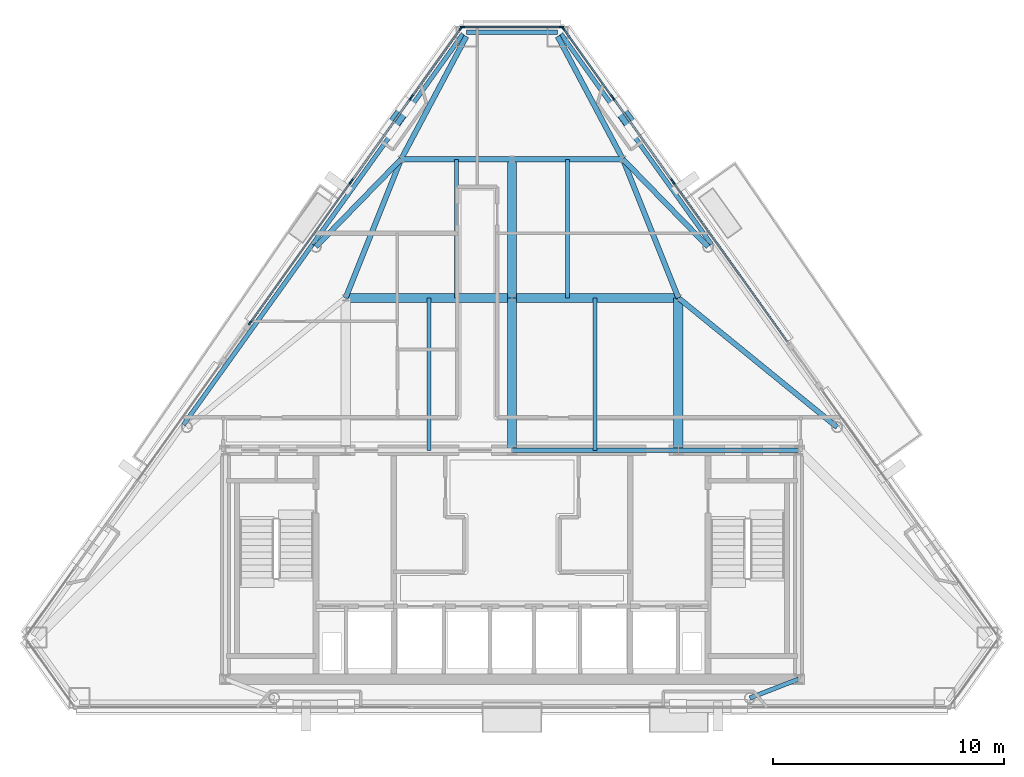
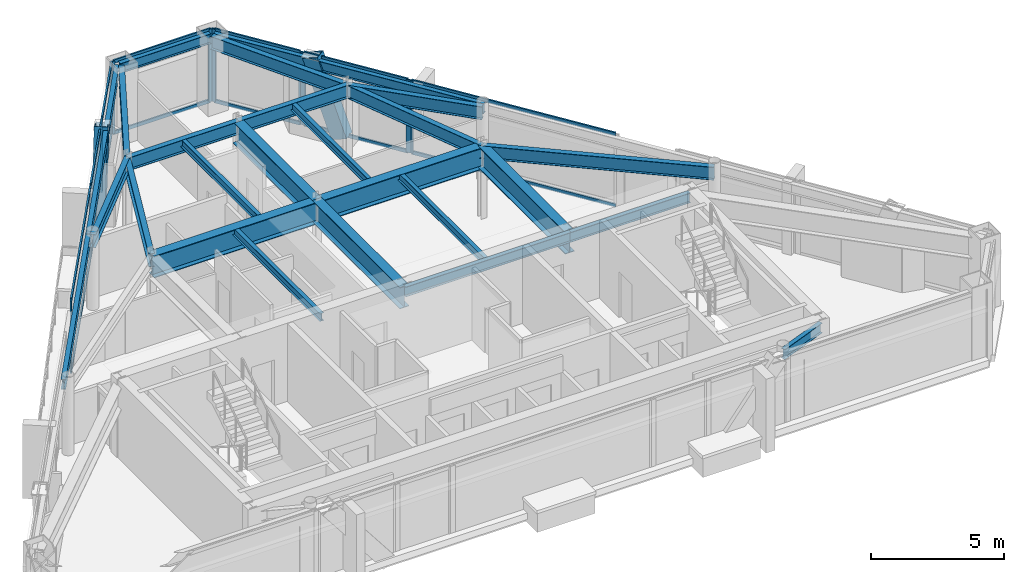
# One storey, part 5 of 12: 29 members, 25 beams, 7 elements without a shape of their own.
"""IFC4 building model written with IfcOpenShell, lengths in metres."""

from ifc_helpers import new_model, si_unit, direction, frame, origin, origin_2d, place, context, subcontext, project, spatial, rectangle, hollow_rectangle, i_section, extrude, material, layer, layer_set, material_profile, profile_set, type_object, element, aggregate, save


model = new_model("IFC4")

# Units and contexts
model_context = context("Model", 3, precision=1e-05, world=origin(), true_north=direction((0.0, 1.0)))
body_context = subcontext(model_context, "Body", "Model", "MODEL_VIEW")
ifc_project = project(units=[si_unit("LENGTHUNIT", "METRE"), si_unit("AREAUNIT", "SQUARE_METRE"), si_unit("VOLUMEUNIT", "CUBIC_METRE"), si_unit("PLANEANGLEUNIT", "RADIAN"), si_unit("MASSUNIT", "GRAM", prefix="KILO")], contexts=[model_context])

# Site, building, storey
site_placement = place(None, origin())
site = spatial("IfcSite", under=ifc_project, at=site_placement, CompositionType="ELEMENT")
building_placement = place(site_placement, origin())
building = spatial("IfcBuilding", under=site, at=building_placement, Name="Talgorran Terracotta Tower", CompositionType="ELEMENT")
storey_placement = place(building_placement, frame((0.0, 0.0, 270.60009765625)))
storey = spatial("IfcBuildingStorey", under=building, at=storey_placement, Name="L71", CompositionType="ELEMENT", Elevation=270.60009765625)

# Beams
ifc_material_1 = material(Name="Steel Grade 350 (350L0)", Category="steel")
ifc_material_profile_1 = material_profile(ifc_material_1, i_section(OverallWidth=0.39990234375, OverallDepth=1.0, WebThickness=0.01611328125, FlangeThickness=0.031005859375, at=origin_2d()), Name="1000WB296")
ifc_profile_set_1 = profile_set([ifc_material_profile_1], Name="Steel Grade 350 (350L0)")
beam_type_1 = type_object("IfcBeamType", Name="BM_1000WB296", PredefinedType="BEAM", material=ifc_profile_set_1)
for number, where, z_axis, x_axis, name in (
    (1, (0.0, -4.199951171875, 2.844970703125), (0.0, 1.0, 0.0), (-1.0, 0.0, 0.0), "L71 Floor Girder G02"),
    (2, (7.199951171875, -4.199951171875, 2.844970703125), (0.0, 1.0, 0.0), (-1.0, 0.0, 0.0), "L71 Floor Girder G03"),
):
    element("IfcBeam", number, at=place(storey_placement, frame(where, z_axis=z_axis, x_axis=x_axis)), inside=storey, type_object=beam_type_1, Name=name, PredefinedType="BEAM", context=body_context, shape_type="SweptSolid", body=[
        extrude(i_section(OverallWidth=0.39990234375, OverallDepth=1.0, WebThickness=0.01611328125, FlangeThickness=0.031005859375, at=origin_2d()), origin(), (0.0, 0.0, 1.0), 6.599853515625),
    ])
for number, where, z_axis, x_axis, name in (
    (3, (-7.199951171875, 2.39990234375, 2.844970703125), (1.0, 0.0, 0.0), (0.0, 1.0, 0.0), "L71 Floor Girder G04"),
    (4, (0.0, 2.39990234375, 2.844970703125), (1.0, 0.0, 0.0), (0.0, 1.0, 0.0), "L71 Floor Girder G05"),
):
    element("IfcBeam", number, at=place(storey_placement, frame(where, z_axis=z_axis, x_axis=x_axis)), inside=storey, type_object=beam_type_1, Name=name, PredefinedType="BEAM", context=body_context, shape_type="SweptSolid", body=[
        extrude(i_section(OverallWidth=0.39990234375, OverallDepth=1.0, WebThickness=0.01611328125, FlangeThickness=0.031005859375, at=origin_2d()), origin(), (0.0, 0.0, 1.0), 7.199951171875),
    ])
beam_1_placement = place(storey_placement, frame((0.0, 2.39990234375, 2.844970703125), z_axis=(0.0, 1.0, 0.0), x_axis=(-1.0, 0.0, 0.0)))
element("IfcBeam", 5, at=beam_1_placement, inside=storey, type_object=beam_type_1, Name="L71 Floor Girder G09", PredefinedType="BEAM", context=body_context, shape_type="SweptSolid", body=[
    extrude(i_section(OverallWidth=0.39990234375, OverallDepth=1.0, WebThickness=0.01611328125, FlangeThickness=0.031005859375, at=origin_2d()), origin(), (0.0, 0.0, 1.0), 6.0),
])
ifc_material_2 = material(Name="Steel S355 (300PLUS)", Category="steel")
ifc_material_profile_2 = material_profile(ifc_material_2, i_section(OverallWidth=0.22802734375, OverallDepth=0.60205078125, WebThickness=0.010498046875, FlangeThickness=0.014892578125, at=origin_2d()), Name="610UB101")
ifc_profile_set_2 = profile_set([ifc_material_profile_2], Name="Steel S355 (300PLUS)")
beam_type_2 = type_object("IfcBeamType", Name="BM_610UB101", PredefinedType="BEAM", material=ifc_profile_set_2)
beam_2_placement = place(storey_placement, frame((7.199951171875, 2.39990234375, 3.0439453125), z_axis=(0.775393850299, -0.631477930667, 0.0), x_axis=(0.631477930667, 0.775393850299, 0.0)))
element("IfcBeam", 6, at=beam_2_placement, inside=storey, type_object=beam_type_2, Name="L71 Floor Girder G07", PredefinedType="BEAM", context=body_context, shape_type="SweptSolid", body=[
    extrude(i_section(OverallWidth=0.22802734375, OverallDepth=0.60205078125, WebThickness=0.010498046875, FlangeThickness=0.014892578125, at=origin_2d()), origin(), (0.0, 0.0, 1.0), 8.862060546875),
])
for number, where, z_axis, x_axis, name in (
    (7, (-7.199951171875, 2.39990234375, 3.0439453125), (0.371377648723, 0.928481901832, 0.0), (-0.928481901832, 0.371377648723, 0.0), "L71 Floor Girder G08"),
    (8, (7.199951171875, 2.39990234375, 3.0439453125), (-0.371377648723, 0.928481901832, 0.0), (-0.928481901832, -0.371377648723, 0.0), "L71 Floor Girder G10"),
):
    element("IfcBeam", number, at=place(storey_placement, frame(where, z_axis=z_axis, x_axis=x_axis)), inside=storey, type_object=beam_type_2, Name=name, PredefinedType="BEAM", context=body_context, shape_type="SweptSolid", body=[
        extrude(i_section(OverallWidth=0.22802734375, OverallDepth=0.60205078125, WebThickness=0.010498046875, FlangeThickness=0.014892578125, at=origin_2d()), origin(), (0.0, 0.0, 1.0), 6.462158203125),
    ])
for number, where, z_axis, x_axis, name in (
    (9, (-4.800048828125, 8.39990234375, 3.0439453125), (1.0, 0.0, 0.0), (0.0, 1.0, 0.0), "L71 Floor Girder G11"),
    (10, (0.0, 8.39990234375, 3.0439453125), (1.0, 0.0, 0.0), (0.0, 1.0, 0.0), "L71 Floor Girder G12"),
):
    element("IfcBeam", number, at=place(storey_placement, frame(where, z_axis=z_axis, x_axis=x_axis)), inside=storey, type_object=beam_type_2, Name=name, PredefinedType="BEAM", context=body_context, shape_type="SweptSolid", body=[
        extrude(i_section(OverallWidth=0.22802734375, OverallDepth=0.60205078125, WebThickness=0.010498046875, FlangeThickness=0.014892578125, at=origin_2d()), origin(), (0.0, 0.0, 1.0), 4.800048828125),
    ])
for number, where, z_axis, x_axis, name in (
    (11, (-4.800048828125, 8.39990234375, 3.0439453125), (-0.697416483559, -0.716666064817, 0.0), (0.716666064817, -0.697416483559, 0.0), "L71 Floor Girder G13"),
    (12, (4.800048828125, 8.39990234375, 3.0439453125), (0.697416483559, -0.716666064817, 0.0), (0.716666064817, 0.697416483559, 0.0), "L71 Floor Girder G14"),
):
    element("IfcBeam", number, at=place(storey_placement, frame(where, z_axis=z_axis, x_axis=x_axis)), inside=storey, type_object=beam_type_2, Name=name, PredefinedType="BEAM", context=body_context, shape_type="SweptSolid", body=[
        extrude(i_section(OverallWidth=0.22802734375, OverallDepth=0.60205078125, WebThickness=0.010498046875, FlangeThickness=0.014892578125, at=origin_2d()), origin(), (0.0, 0.0, 1.0), 5.288818359375),
    ])
for number, where, z_axis, x_axis, name in (
    (13, (-4.800048828125, 8.39990234375, 3.0439453125), (0.469200685486, 0.883091567585, 0.0), (-0.883091567585, 0.469200685486, 0.0), "L71 Floor Girder G15"),
    (14, (4.800048828125, 8.39990234375, 3.0439453125), (-0.469200685486, 0.883091567585, 0.0), (-0.883091567585, -0.469200685486, 0.0), "L71 Floor Girder G16"),
):
    element("IfcBeam", number, at=place(storey_placement, frame(where, z_axis=z_axis, x_axis=x_axis)), inside=storey, type_object=beam_type_2, Name=name, PredefinedType="BEAM", context=body_context, shape_type="SweptSolid", body=[
        extrude(i_section(OverallWidth=0.22802734375, OverallDepth=0.60205078125, WebThickness=0.010498046875, FlangeThickness=0.014892578125, at=origin_2d()), origin(), (0.0, 0.0, 1.0), 6.020751953125),
    ])
ifc_material_profile_3 = material_profile(ifc_material_2, i_section(OverallWidth=0.17138671875, OverallDepth=0.355712890625, WebThickness=0.00732421875, FlangeThickness=0.011474609375, at=origin_2d()), Name="360UB50.7")
ifc_profile_set_3 = profile_set([ifc_material_profile_3], Name="Steel S355 (300PLUS)")
beam_type_3 = type_object("IfcBeamType", Name="BM_JS_360UB51", PredefinedType="JOIST", material=ifc_profile_set_3)
for number, where, z_axis, x_axis, name in (
    (15, (-3.60009765625, -4.199951171875, 3.1669921875), (0.0, 1.0, 0.0), (-1.0, 0.0, 0.0), "L71 Secondary Joist J01"),
    (16, (3.60009765625, -4.199951171875, 3.1669921875), (0.0, 1.0, 0.0), (-1.0, 0.0, 0.0), "L71 Secondary Joist J02"),
):
    element("IfcBeam", number, at=place(storey_placement, frame(where, z_axis=z_axis, x_axis=x_axis)), inside=storey, type_object=beam_type_3, Name=name, PredefinedType="JOIST", context=body_context, shape_type="SweptSolid", body=[
        extrude(i_section(OverallWidth=0.17138671875, OverallDepth=0.355712890625, WebThickness=0.00732421875, FlangeThickness=0.011474609375, at=origin_2d()), origin(), (0.0, 0.0, 1.0), 6.599853515625),
    ])
for number, where, z_axis, x_axis, name in (
    (17, (-2.39990234375, 2.39990234375, 3.1669921875), (0.0, 1.0, 0.0), (-1.0, 0.0, 0.0), "L71 Secondary Joist J03"),
    (18, (2.39990234375, 2.39990234375, 3.1669921875), (0.0, 1.0, 0.0), (-1.0, 0.0, 0.0), "L71 Secondary Joist J04"),
):
    element("IfcBeam", number, at=place(storey_placement, frame(where, z_axis=z_axis, x_axis=x_axis)), inside=storey, type_object=beam_type_3, Name=name, PredefinedType="JOIST", context=body_context, shape_type="SweptSolid", body=[
        extrude(i_section(OverallWidth=0.17138671875, OverallDepth=0.355712890625, WebThickness=0.00732421875, FlangeThickness=0.011474609375, at=origin_2d()), origin(), (0.0, 0.0, 1.0), 6.0),
    ])
ifc_material_profile_4 = material_profile(ifc_material_2, i_section(OverallWidth=0.18994140625, OverallDepth=0.45703125, WebThickness=0.009033203125, FlangeThickness=0.014404296875, at=origin_2d()), Name="460UB74.6")
ifc_profile_set_4 = profile_set([ifc_material_profile_4], Name="Steel S355 (300PLUS)")
beam_type_4 = type_object("IfcBeamType", Name="BM_SP_460UB74", PredefinedType="SPANDREL", material=ifc_profile_set_4)
beam_3_placement = place(storey_placement, frame((8.635009765625, 4.71435546875, 3.116455078125), z_axis=(-0.58172898954, 0.813382679142, 0.0), x_axis=(-0.813382679142, -0.58172898954, 0.0)))
element("IfcBeam", 19, at=beam_3_placement, inside=storey, type_object=beam_type_4, Name="L71 Perimeter Spandrel Beam FC4-MC5", PredefinedType="SPANDREL", context=body_context, shape_type="SweptSolid", body=[
    extrude(i_section(OverallWidth=0.18994140625, OverallDepth=0.45703125, WebThickness=0.009033203125, FlangeThickness=0.014404296875, at=origin_2d()), origin(), (0.0, 0.0, 1.0), 11.19677734375),
])
beam_4_placement = place(storey_placement, frame((1.97509765625, 13.896728515625, 3.116455078125), z_axis=(-1.0, 0.0, 0.0), x_axis=(0.0, -1.0, 0.0)))
element("IfcBeam", 20, at=beam_4_placement, inside=storey, type_object=beam_type_4, Name="L71 Perimeter Spandrel Beam MC5-MC6", PredefinedType="SPANDREL", context=body_context, shape_type="SweptSolid", body=[
    extrude(i_section(OverallWidth=0.18994140625, OverallDepth=0.45703125, WebThickness=0.009033203125, FlangeThickness=0.014404296875, at=origin_2d()), origin(), (0.0, 0.0, 1.0), 3.9501953125),
])
beam_5_placement = place(storey_placement, frame((-2.12158203125, 13.821533203125, 3.116455078125), z_axis=(-0.58172898954, -0.813382679142, 0.0), x_axis=(0.813382679142, -0.58172898954, 0.0)))
element("IfcBeam", 21, at=beam_5_placement, inside=storey, type_object=beam_type_4, Name="L71 Perimeter Spandrel Beam MC6-FC5", PredefinedType="SPANDREL", context=body_context, shape_type="SweptSolid", body=[
    extrude(i_section(OverallWidth=0.18994140625, OverallDepth=0.45703125, WebThickness=0.009033203125, FlangeThickness=0.014404296875, at=origin_2d()), origin(), (0.0, 0.0, 1.0), 11.19677734375),
])
beam_6_placement = place(storey_placement, frame((-8.635009765625, 4.71435546875, 3.116455078125), z_axis=(-0.581733798122, -0.813379240037, 0.0), x_axis=(0.813379240037, -0.581733798122, 0.0)))
element("IfcBeam", 22, at=beam_6_placement, inside=storey, type_object=beam_type_4, Name="L71 Perimeter Spandrel Beam FC5-FC6", PredefinedType="SPANDREL", context=body_context, shape_type="SweptSolid", body=[
    extrude(i_section(OverallWidth=0.18994140625, OverallDepth=0.45703125, WebThickness=0.009033203125, FlangeThickness=0.014404296875, at=origin_2d()), origin(), (0.0, 0.0, 1.0), 9.59716796875),
])
beam_7_placement = place(storey_placement, frame((12.39990234375, -14.10009765625, 3.116455078125), z_axis=(-0.932081672707, -0.362248195859, 0.0), x_axis=(0.362248195859, -0.932081672707, 0.0)))
element("IfcBeam", 23, at=beam_7_placement, inside=storey, type_object=beam_type_4, Name="L71 South-East Core Tie Beam", PredefinedType="SPANDREL", context=body_context, shape_type="SweptSolid", body=[
    extrude(i_section(OverallWidth=0.18994140625, OverallDepth=0.45703125, WebThickness=0.009033203125, FlangeThickness=0.014404296875, at=origin_2d()), origin(), (0.0, 0.0, 1.0), 2.260498046875),
])
beam_8_placement = place(storey_placement, frame((0.0, -4.199951171875, 3.116455078125), z_axis=(1.0, 0.0, 0.0), x_axis=(0.0, 1.0, 0.0)))
element("IfcBeam", 24, at=beam_8_placement, inside=storey, type_object=beam_type_4, Name="L71 Core Frame Beam CFN3", PredefinedType="SPANDREL", context=body_context, shape_type="SweptSolid", body=[
    extrude(i_section(OverallWidth=0.18994140625, OverallDepth=0.45703125, WebThickness=0.009033203125, FlangeThickness=0.014404296875, at=origin_2d()), origin(), (0.0, 0.0, 1.0), 7.199951171875),
])
beam_9_placement = place(storey_placement, frame((7.199951171875, -4.199951171875, 3.116455078125), z_axis=(1.0, 0.0, 0.0), x_axis=(0.0, 1.0, 0.0)))
element("IfcBeam", 25, at=beam_9_placement, inside=storey, type_object=beam_type_4, Name="L71 Core Frame Beam CFN4", PredefinedType="SPANDREL", context=body_context, shape_type="SweptSolid", body=[
    extrude(i_section(OverallWidth=0.18994140625, OverallDepth=0.45703125, WebThickness=0.009033203125, FlangeThickness=0.014404296875, at=origin_2d()), origin(), (0.0, 0.0, 1.0), 5.199951171875),
])

# Members
ifc_material_profile_5 = material_profile(ifc_material_1, hollow_rectangle(XDim=0.52001953125, YDim=0.659912109375, WallThickness=0.034912109375, at=origin_2d()), Name="WBOX660X520X35")
ifc_profile_set_5 = profile_set([ifc_material_profile_5], Name="Steel Grade 350 (350L0)")
member_type_1 = type_object("IfcMemberType", Name="MB_MEGA_660", PredefinedType="BRACE", material=ifc_profile_set_5)
for number, where, z_axis, x_axis, name in (
    (26, (5.292236328125, 9.69775390625, -0.025146484375), (-0.193911699437, 0.271001770157, 0.942844787541), (-0.813252023717, -0.58191163068, 0.0), "L71 Exterior Face Mega-Brace MB-3 (NEU)"),
    (27, (-5.292236328125, 9.69775390625, -0.025146484375), (0.193911699437, 0.271001770157, 0.942844787541), (-0.813252023717, 0.58191163068, 0.0), "L71 Exterior Face Mega-Brace MB-3 (NWU)"),
):
    element("IfcMember", number, at=place(storey_placement, frame(where, z_axis=z_axis, x_axis=x_axis)), inside=storey, type_object=member_type_1, Name=name, PredefinedType="BRACE", context=body_context, shape_type="SweptSolid", body=[
        extrude(hollow_rectangle(XDim=0.52001953125, YDim=0.659912109375, WallThickness=0.034912109375, at=origin_2d()), origin(), (0.0, 0.0, 1.0), 3.600830078125),
    ])

# Curtain wall, member
ifc_material_3 = material(Name="High-Wind Unitised Glazing", Category="glass")
ifc_layer = layer(ifc_material_3, 0.2099609375, Name="CW_SYS3_RES_HIGH")
ifc_layer_set = layer_set([ifc_layer], Name="High-Wind Unitised Glazing")
curtain_wall_type = type_object("IfcCurtainWallType", Name="CW_SYS3_RES_HIGH", PredefinedType="NOTDEFINED", material=ifc_layer_set)
curtain_wall_1_placement = place(storey_placement, origin())
curtain_wall_1 = element("IfcCurtainWall", 28, at=curtain_wall_1_placement, inside=storey, type_object=curtain_wall_type, Name="CW-L71-F41", PredefinedType="NOTDEFINED")
ifc_material_4 = material(Name="Architectural Aluminium 6063-T6", Category="aluminium")
ifc_material_profile_6 = material_profile(ifc_material_4, rectangle(XDim=0.070068359375, YDim=0.199951171875, at=origin_2d()), Name="CWM70X200")
ifc_profile_set_6 = profile_set([ifc_material_profile_6], Name="Architectural Aluminium 6063-T6")
member_type_2 = type_object("IfcMemberType", Name="MUL_70X200", PredefinedType="MULLION", material=ifc_profile_set_6)
member_1_placement = place(storey_placement, frame((6.98095703125, 7.4052734375, 0.0), z_axis=(0.0, 0.0, 1.0), x_axis=(-0.813381757068, -0.581730278797, 0.0)))
member_1 = element("IfcMember", 29, at=member_1_placement, type_object=member_type_2, Name="CW-L71-41 mullion 2", PredefinedType="MULLION", context=body_context, shape_type="SweptSolid", body=[
    extrude(rectangle(XDim=0.070068359375, YDim=0.199951171875, at=origin_2d()), origin(), (0.0, 0.0, 1.0), 3.344970703125),
])

# Curtain wall, members
curtain_wall_2_placement = place(storey_placement, origin())
curtain_wall_2 = element("IfcCurtainWall", 30, at=curtain_wall_2_placement, inside=storey, type_object=curtain_wall_type, Name="CW-L71-F41B", PredefinedType="NOTDEFINED")
member_2_placement = place(storey_placement, frame((6.934326171875, 7.470458984375, 0.0), z_axis=(0.0, 0.0, 1.0), x_axis=(-0.813369566326, -0.581747323651, 0.0)))
member_2 = element("IfcMember", 31, at=member_2_placement, type_object=member_type_2, Name="CW-L71-41B mullion 1", PredefinedType="MULLION", context=body_context, shape_type="SweptSolid", body=[
    extrude(rectangle(XDim=0.070068359375, YDim=0.199951171875, at=origin_2d()), origin(), (0.0, 0.0, 1.0), 3.344970703125),
])
member_3_placement = place(storey_placement, frame((4.381591796875, 11.03955078125, 0.0), z_axis=(0.0, 0.0, 1.0), x_axis=(-0.813369566326, -0.581747323651, 0.0)))
member_3 = element("IfcMember", 32, at=member_3_placement, type_object=member_type_2, Name="CW-L71-41B mullion 2", PredefinedType="MULLION", context=body_context, shape_type="SweptSolid", body=[
    extrude(rectangle(XDim=0.070068359375, YDim=0.199951171875, at=origin_2d()), origin(), (0.0, 0.0, 1.0), 3.344970703125),
])

curtain_wall_3_placement = place(storey_placement, origin())
curtain_wall_3 = element("IfcCurtainWall", 33, at=curtain_wall_3_placement, inside=storey, type_object=curtain_wall_type, Name="CW-L71-F41C", PredefinedType="NOTDEFINED")
member_4_placement = place(storey_placement, frame((4.335205078125, 11.104736328125, 0.0), z_axis=(0.0, 0.0, 1.0), x_axis=(-0.813380709378, -0.581731743686, 0.0)))
member_4 = element("IfcMember", 34, at=member_4_placement, type_object=member_type_2, Name="CW-L71-41C mullion 1", PredefinedType="MULLION", context=body_context, shape_type="SweptSolid", body=[
    extrude(rectangle(XDim=0.070068359375, YDim=0.199951171875, at=origin_2d()), origin(), (0.0, 0.0, 1.0), 3.344970703125),
])
member_5_placement = place(storey_placement, frame((2.224365234375, 14.055908203125, 0.0), z_axis=(0.0, 0.0, 1.0), x_axis=(-0.813380709378, -0.581731743686, 0.0)))
member_5 = element("IfcMember", 35, at=member_5_placement, type_object=member_type_2, Name="CW-L71-41C mullion 2", PredefinedType="MULLION", context=body_context, shape_type="SweptSolid", body=[
    extrude(rectangle(XDim=0.070068359375, YDim=0.199951171875, at=origin_2d()), origin(), (0.0, 0.0, 1.0), 3.344970703125),
])

curtain_wall_4_placement = place(storey_placement, origin())
curtain_wall_4 = element("IfcCurtainWall", 36, at=curtain_wall_4_placement, inside=storey, type_object=curtain_wall_type, Name="CW-L71-F4", PredefinedType="NOTDEFINED")
member_6_placement = place(storey_placement, frame((2.145751953125, 14.11669921875, 0.0), z_axis=(0.0, 0.0, 1.0), x_axis=(0.0, -1.0, 0.0)))
member_6 = element("IfcMember", 37, at=member_6_placement, type_object=member_type_2, Name="CW-L71-4 mullion 1", PredefinedType="MULLION", context=body_context, shape_type="SweptSolid", body=[
    extrude(rectangle(XDim=0.070068359375, YDim=0.199951171875, at=origin_2d()), origin(), (0.0, 0.0, 1.0), 3.344970703125),
])
member_7_placement = place(storey_placement, frame((-2.145751953125, 14.11669921875, 0.0), z_axis=(0.0, 0.0, 1.0), x_axis=(0.0, -1.0, 0.0)))
member_7 = element("IfcMember", 38, at=member_7_placement, type_object=member_type_2, Name="CW-L71-4 mullion 2", PredefinedType="MULLION", context=body_context, shape_type="SweptSolid", body=[
    extrude(rectangle(XDim=0.070068359375, YDim=0.199951171875, at=origin_2d()), origin(), (0.0, 0.0, 1.0), 3.344970703125),
])

curtain_wall_5_placement = place(storey_placement, origin())
curtain_wall_5 = element("IfcCurtainWall", 39, at=curtain_wall_5_placement, inside=storey, type_object=curtain_wall_type, Name="CW-L71-F60", PredefinedType="NOTDEFINED")
member_8_placement = place(storey_placement, frame((-2.224365234375, 14.055908203125, 0.0), z_axis=(0.0, 0.0, 1.0), x_axis=(0.813380709378, -0.581731743686, 0.0)))
member_8 = element("IfcMember", 40, at=member_8_placement, type_object=member_type_2, Name="CW-L71-60 mullion 1", PredefinedType="MULLION", context=body_context, shape_type="SweptSolid", body=[
    extrude(rectangle(XDim=0.070068359375, YDim=0.199951171875, at=origin_2d()), origin(), (0.0, 0.0, 1.0), 3.344970703125),
])
member_9_placement = place(storey_placement, frame((-4.335205078125, 11.104736328125, 0.0), z_axis=(0.0, 0.0, 1.0), x_axis=(0.813380709378, -0.581731743686, 0.0)))
member_9 = element("IfcMember", 41, at=member_9_placement, type_object=member_type_2, Name="CW-L71-60 mullion 2", PredefinedType="MULLION", context=body_context, shape_type="SweptSolid", body=[
    extrude(rectangle(XDim=0.070068359375, YDim=0.199951171875, at=origin_2d()), origin(), (0.0, 0.0, 1.0), 3.344970703125),
])

curtain_wall_6_placement = place(storey_placement, origin())
curtain_wall_6 = element("IfcCurtainWall", 42, at=curtain_wall_6_placement, inside=storey, type_object=curtain_wall_type, Name="CW-L71-F60B", PredefinedType="NOTDEFINED")
member_10_placement = place(storey_placement, frame((-4.381591796875, 11.03955078125, 0.0), z_axis=(0.0, 0.0, 1.0), x_axis=(0.813380180125, -0.58173248369, 0.0)))
member_10 = element("IfcMember", 43, at=member_10_placement, type_object=member_type_2, Name="CW-L71-60B mullion 1", PredefinedType="MULLION", context=body_context, shape_type="SweptSolid", body=[
    extrude(rectangle(XDim=0.070068359375, YDim=0.199951171875, at=origin_2d()), origin(), (0.0, 0.0, 1.0), 3.344970703125),
])
member_11_placement = place(storey_placement, frame((-6.934326171875, 7.470458984375, 0.0), z_axis=(0.0, 0.0, 1.0), x_axis=(0.813380180125, -0.58173248369, 0.0)))
member_11 = element("IfcMember", 44, at=member_11_placement, type_object=member_type_2, Name="CW-L71-60B mullion 2", PredefinedType="MULLION", context=body_context, shape_type="SweptSolid", body=[
    extrude(rectangle(XDim=0.070068359375, YDim=0.199951171875, at=origin_2d()), origin(), (0.0, 0.0, 1.0), 3.344970703125),
])

curtain_wall_7_placement = place(storey_placement, origin())
curtain_wall_7 = element("IfcCurtainWall", 45, at=curtain_wall_7_placement, inside=storey, type_object=curtain_wall_type, Name="CW-L71-F60C", PredefinedType="NOTDEFINED")
member_12_placement = place(storey_placement, frame((-6.98095703125, 7.4052734375, 0.0), z_axis=(0.0, 0.0, 1.0), x_axis=(0.813380928218, -0.581731437702, 0.0)))
member_12 = element("IfcMember", 46, at=member_12_placement, type_object=member_type_2, Name="CW-L71-60C mullion 1", PredefinedType="MULLION", context=body_context, shape_type="SweptSolid", body=[
    extrude(rectangle(XDim=0.070068359375, YDim=0.199951171875, at=origin_2d()), origin(), (0.0, 0.0, 1.0), 3.344970703125),
])
member_13_placement = place(storey_placement, frame((-11.3349609375, 1.317626953125, 0.0), z_axis=(0.0, 0.0, 1.0), x_axis=(0.813380928218, -0.581731437702, 0.0)))
member_13 = element("IfcMember", 47, at=member_13_placement, type_object=member_type_2, Name="CW-L71-60C mullion 2", PredefinedType="MULLION", context=body_context, shape_type="SweptSolid", body=[
    extrude(rectangle(XDim=0.070068359375, YDim=0.199951171875, at=origin_2d()), origin(), (0.0, 0.0, 1.0), 3.344970703125),
])

# Member
ifc_material_profile_7 = material_profile(ifc_material_4, rectangle(XDim=0.070068359375, YDim=0.159912109375, at=origin_2d()), Name="CWT70X160")
ifc_profile_set_7 = profile_set([ifc_material_profile_7], Name="Architectural Aluminium 6063-T6")
member_type_3 = type_object("IfcMemberType", Name="TRN_70X160", PredefinedType="USERDEFINED", material=ifc_profile_set_7)
member_14_placement = place(storey_placement, frame((11.91748046875, 0.5029296875, 0.034912109375), z_axis=(-0.581727240873, 0.813383929781, 0.0), x_axis=(-0.813383929781, -0.581727240873, 0.0)))
member_14 = element("IfcMember", 48, at=member_14_placement, type_object=member_type_3, Name="CW-L71-41 transom 1.1", ObjectType="TRANSOM", PredefinedType="USERDEFINED", context=body_context, shape_type="SweptSolid", body=[
    extrude(rectangle(XDim=0.070068359375, YDim=0.159912109375, at=origin_2d()), origin(), (0.0, 0.0, 1.0), 8.451171875),
])

member_15_placement = place(storey_placement, frame((11.91748046875, 0.5029296875, 3.309814453125), z_axis=(-0.581727240873, 0.813383929781, 0.0), x_axis=(-0.813383929781, -0.581727240873, 0.0)))
member_15 = element("IfcMember", 49, at=member_15_placement, type_object=member_type_3, Name="CW-L71-41 transom 1.2", ObjectType="TRANSOM", PredefinedType="USERDEFINED", context=body_context, shape_type="SweptSolid", body=[
    extrude(rectangle(XDim=0.070068359375, YDim=0.159912109375, at=origin_2d()), origin(), (0.0, 0.0, 1.0), 8.451171875),
])

aggregate(curtain_wall_1, [member_1, member_14, member_15])

member_16_placement = place(storey_placement, frame((6.9140625, 7.498779296875, 0.034912109375), z_axis=(-0.581735480409, 0.813378036852, 0.0), x_axis=(-0.813378036852, -0.581735480409, 0.0)))
member_16 = element("IfcMember", 50, at=member_16_placement, type_object=member_type_3, Name="CW-L71-41B transom 1.1", ObjectType="TRANSOM", PredefinedType="USERDEFINED", context=body_context, shape_type="SweptSolid", body=[
    extrude(rectangle(XDim=0.070068359375, YDim=0.159912109375, at=origin_2d()), origin(), (0.0, 0.0, 1.0), 4.318115234375),
])

member_17_placement = place(storey_placement, frame((6.9140625, 7.498779296875, 3.309814453125), z_axis=(-0.581735480409, 0.813378036852, 0.0), x_axis=(-0.813378036852, -0.581735480409, 0.0)))
member_17 = element("IfcMember", 51, at=member_17_placement, type_object=member_type_3, Name="CW-L71-41B transom 1.2", ObjectType="TRANSOM", PredefinedType="USERDEFINED", context=body_context, shape_type="SweptSolid", body=[
    extrude(rectangle(XDim=0.070068359375, YDim=0.159912109375, at=origin_2d()), origin(), (0.0, 0.0, 1.0), 4.318115234375),
])

aggregate(curtain_wall_2, [member_2, member_3, member_16, member_17])

member_18_placement = place(storey_placement, frame((4.314697265625, 11.133056640625, 0.034912109375), z_axis=(-0.581698918602, 0.813404184952, 0.0), x_axis=(-0.813404184952, -0.581698918602, 0.0)))
member_18 = element("IfcMember", 52, at=member_18_placement, type_object=member_type_3, Name="CW-L71-41C transom 1.1", ObjectType="TRANSOM", PredefinedType="USERDEFINED", context=body_context, shape_type="SweptSolid", body=[
    extrude(rectangle(XDim=0.070068359375, YDim=0.159912109375, at=origin_2d()), origin(), (0.0, 0.0, 1.0), 3.558349609375),
])

member_19_placement = place(storey_placement, frame((4.314697265625, 11.133056640625, 3.309814453125), z_axis=(-0.581698918602, 0.813404184952, 0.0), x_axis=(-0.813404184952, -0.581698918602, 0.0)))
member_19 = element("IfcMember", 53, at=member_19_placement, type_object=member_type_3, Name="CW-L71-41C transom 1.2", ObjectType="TRANSOM", PredefinedType="USERDEFINED", context=body_context, shape_type="SweptSolid", body=[
    extrude(rectangle(XDim=0.070068359375, YDim=0.159912109375, at=origin_2d()), origin(), (0.0, 0.0, 1.0), 3.558349609375),
])

aggregate(curtain_wall_3, [member_4, member_5, member_18, member_19])

member_20_placement = place(storey_placement, frame((2.11083984375, 14.11669921875, 0.034912109375), z_axis=(-1.0, 0.0, 0.0), x_axis=(0.0, -1.0, 0.0)))
member_20 = element("IfcMember", 54, at=member_20_placement, type_object=member_type_3, Name="CW-L71-4 transom 1.1", ObjectType="TRANSOM", PredefinedType="USERDEFINED", context=body_context, shape_type="SweptSolid", body=[
    extrude(rectangle(XDim=0.070068359375, YDim=0.159912109375, at=origin_2d()), origin(), (0.0, 0.0, 1.0), 4.2216796875),
])

member_21_placement = place(storey_placement, frame((2.11083984375, 14.11669921875, 3.309814453125), z_axis=(-1.0, 0.0, 0.0), x_axis=(0.0, -1.0, 0.0)))
member_21 = element("IfcMember", 55, at=member_21_placement, type_object=member_type_3, Name="CW-L71-4 transom 1.2", ObjectType="TRANSOM", PredefinedType="USERDEFINED", context=body_context, shape_type="SweptSolid", body=[
    extrude(rectangle(XDim=0.070068359375, YDim=0.159912109375, at=origin_2d()), origin(), (0.0, 0.0, 1.0), 4.2216796875),
])

aggregate(curtain_wall_4, [member_6, member_7, member_20, member_21])

member_22_placement = place(storey_placement, frame((-2.244873046875, 14.02734375, 0.034912109375), z_axis=(-0.581698918602, -0.813404184952, 0.0), x_axis=(0.813404184952, -0.581698918602, 0.0)))
member_22 = element("IfcMember", 56, at=member_22_placement, type_object=member_type_3, Name="CW-L71-60 transom 1.1", ObjectType="TRANSOM", PredefinedType="USERDEFINED", context=body_context, shape_type="SweptSolid", body=[
    extrude(rectangle(XDim=0.070068359375, YDim=0.159912109375, at=origin_2d()), origin(), (0.0, 0.0, 1.0), 3.558349609375),
])

member_23_placement = place(storey_placement, frame((-2.244873046875, 14.02734375, 3.309814453125), z_axis=(-0.581698918602, -0.813404184952, 0.0), x_axis=(0.813404184952, -0.581698918602, 0.0)))
member_23 = element("IfcMember", 57, at=member_23_placement, type_object=member_type_3, Name="CW-L71-60 transom 1.2", ObjectType="TRANSOM", PredefinedType="USERDEFINED", context=body_context, shape_type="SweptSolid", body=[
    extrude(rectangle(XDim=0.070068359375, YDim=0.159912109375, at=origin_2d()), origin(), (0.0, 0.0, 1.0), 3.558349609375),
])

aggregate(curtain_wall_5, [member_8, member_9, member_22, member_23])

member_24_placement = place(storey_placement, frame((-4.402099609375, 11.010986328125, 0.034912109375), z_axis=(-0.581735480409, -0.813378036852, 0.0), x_axis=(0.813378036852, -0.581735480409, 0.0)))
member_24 = element("IfcMember", 58, at=member_24_placement, type_object=member_type_3, Name="CW-L71-60B transom 1.1", ObjectType="TRANSOM", PredefinedType="USERDEFINED", context=body_context, shape_type="SweptSolid", body=[
    extrude(rectangle(XDim=0.070068359375, YDim=0.159912109375, at=origin_2d()), origin(), (0.0, 0.0, 1.0), 4.318115234375),
])

member_25_placement = place(storey_placement, frame((-4.402099609375, 11.010986328125, 3.309814453125), z_axis=(-0.581735480409, -0.813378036852, 0.0), x_axis=(0.813378036852, -0.581735480409, 0.0)))
member_25 = element("IfcMember", 59, at=member_25_placement, type_object=member_type_3, Name="CW-L71-60B transom 1.2", ObjectType="TRANSOM", PredefinedType="USERDEFINED", context=body_context, shape_type="SweptSolid", body=[
    extrude(rectangle(XDim=0.070068359375, YDim=0.159912109375, at=origin_2d()), origin(), (0.0, 0.0, 1.0), 4.318115234375),
])

aggregate(curtain_wall_6, [member_10, member_11, member_24, member_25])

member_26_placement = place(storey_placement, frame((-7.001220703125, 7.376953125, 0.034912109375), z_axis=(-0.581717756107, -0.813390713144, 0.0), x_axis=(0.813390713144, -0.581717756107, 0.0)))
member_26 = element("IfcMember", 60, at=member_26_placement, type_object=member_type_3, Name="CW-L71-60C transom 1.1", ObjectType="TRANSOM", PredefinedType="USERDEFINED", context=body_context, shape_type="SweptSolid", body=[
    extrude(rectangle(XDim=0.070068359375, YDim=0.159912109375, at=origin_2d()), origin(), (0.0, 0.0, 1.0), 7.41455078125),
])

member_27_placement = place(storey_placement, frame((-7.001220703125, 7.376953125, 3.309814453125), z_axis=(-0.581717756107, -0.813390713144, 0.0), x_axis=(0.813390713144, -0.581717756107, 0.0)))
member_27 = element("IfcMember", 61, at=member_27_placement, type_object=member_type_3, Name="CW-L71-60C transom 1.2", ObjectType="TRANSOM", PredefinedType="USERDEFINED", context=body_context, shape_type="SweptSolid", body=[
    extrude(rectangle(XDim=0.070068359375, YDim=0.159912109375, at=origin_2d()), origin(), (0.0, 0.0, 1.0), 7.41455078125),
])

aggregate(curtain_wall_7, [member_12, member_13, member_26, member_27])

save(model, "model.ifc")
